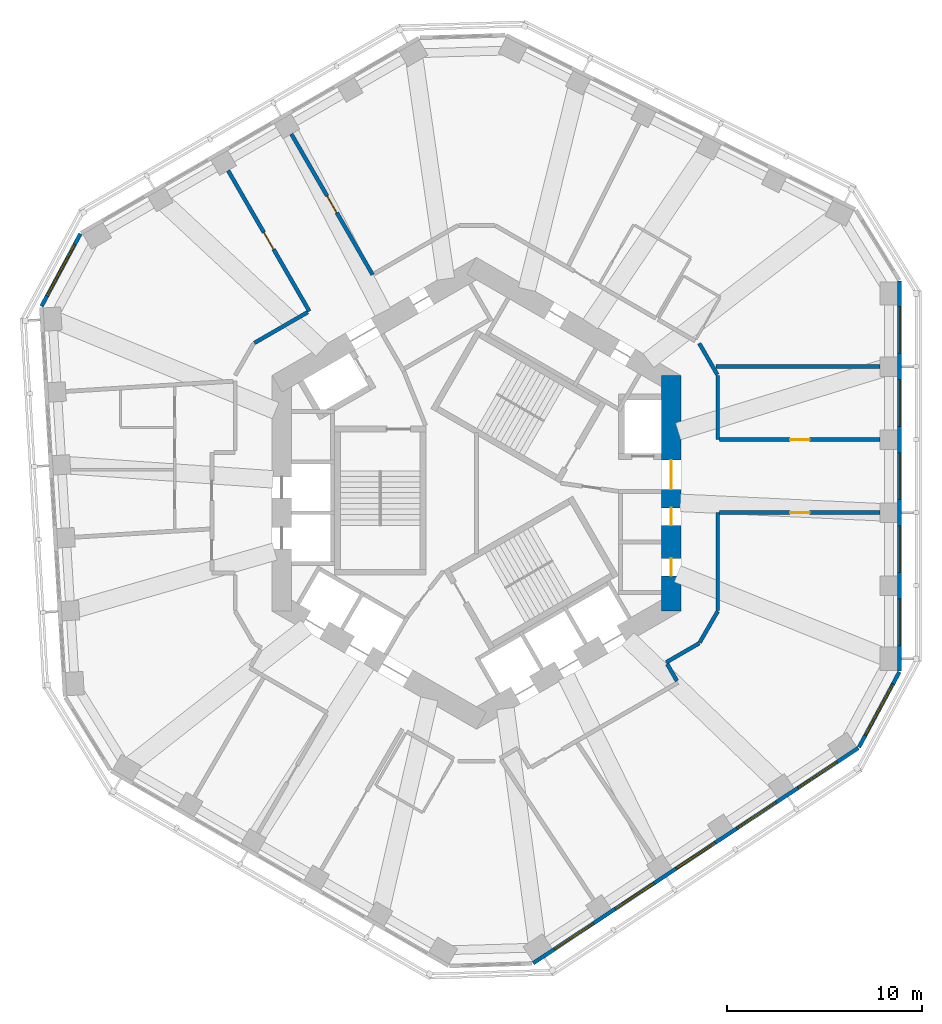
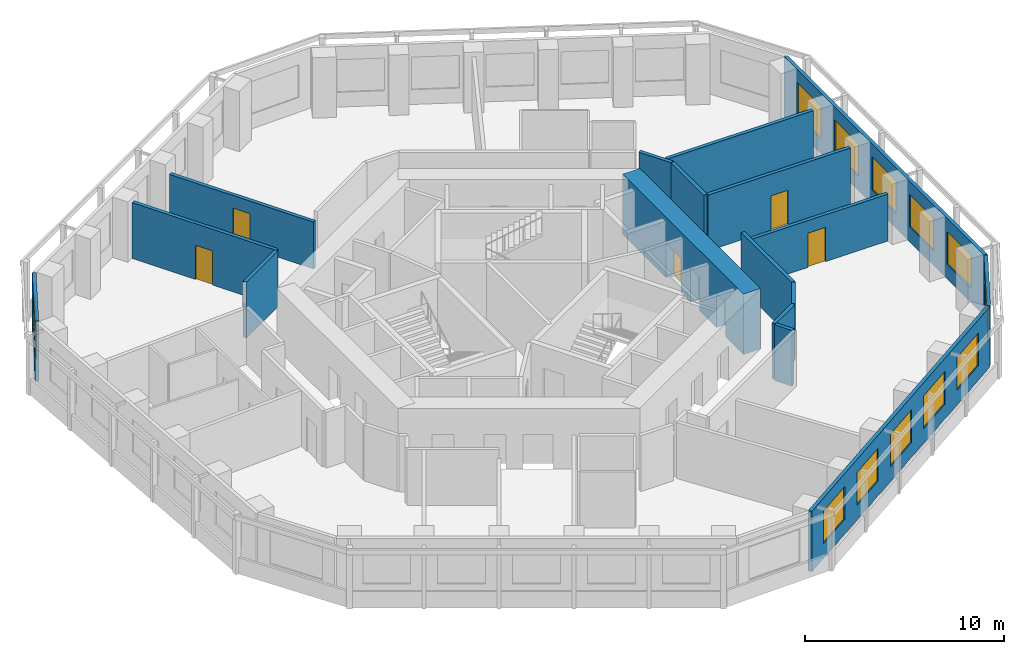
# One storey, part 6 of 10: 17 walls, 12 windows, 7 doors, 19 openings.
"""IFC4 building model written with IfcOpenShell, lengths in metres."""

from ifc_helpers import new_model, si_unit, direction, frame, frame_2d, origin, place, context, subcontext, project, spatial, rectangle, extrude, material, layer, layer_set, type_object, element, fill, save


model = new_model("IFC4")

# Units and contexts
model_context = context("Model", 3, precision=1e-05, world=origin(), true_north=direction((0.0, 1.0)))
body_context = subcontext(model_context, "Body", "Model", "MODEL_VIEW")
ifc_project = project(units=[si_unit("LENGTHUNIT", "METRE"), si_unit("AREAUNIT", "SQUARE_METRE"), si_unit("VOLUMEUNIT", "CUBIC_METRE"), si_unit("PLANEANGLEUNIT", "RADIAN"), si_unit("MASSUNIT", "GRAM", prefix="KILO")], contexts=[model_context])

# Site, building, storey
site_placement = place(None, origin())
site = spatial("IfcSite", under=ifc_project, at=site_placement, CompositionType="ELEMENT")
building_placement = place(site_placement, origin())
building = spatial("IfcBuilding", under=site, at=building_placement, Name="Vanh Sen Convention Tower", CompositionType="ELEMENT")
storey_placement = place(building_placement, frame((0.0, 0.0, 165.10009765625)))
storey = spatial("IfcBuildingStorey", under=building, at=storey_placement, Name="L40", CompositionType="ELEMENT", Elevation=165.10009765625)

# Wall, openings, doors
ifc_material_1 = material(Name="Concrete C80/95", Category="concrete")
ifc_layer_1 = layer(ifc_material_1, 1.0)
ifc_layer_set_1 = layer_set([ifc_layer_1], Name="Concrete C80/95")
wall_type_1 = type_object("IfcWallType", Name="Core outer wall 1000 C80/95", PredefinedType="SHEAR", material=ifc_layer_set_1)
wall_1_placement = place(storey_placement, frame((10.0, -6.062255859375, 0.0), z_axis=(0.0, 0.0, 1.0), x_axis=(0.0, 1.0, 0.0)))
wall_1 = element("IfcWall", 1, at=wall_1_placement, inside=storey, type_object=wall_type_1, Name="Core wall face E L40", PredefinedType="SHEAR", context=body_context, shape_type="SweptSolid", body=[
    extrude(rectangle(XDim=12.12451171875, YDim=1.0, at=frame_2d((6.062255859375, 0.0))), origin(), (0.0, 0.0, 1.0), 3.699951171875),
])
opening_1_placement = place(wall_1_placement, frame((6.26220703125, 0.0, 0.0)))
opening_1 = element("IfcOpeningElement", 2, at=opening_1_placement, cuts=wall_1, Name="Opening D38001", PredefinedType="OPENING", context=body_context, shape_type="SweptSolid", body=[
    extrude(rectangle(XDim=1.5, YDim=2.10009765625, at=frame_2d((0.75, 1.050048828125))), frame((0.0, 0.510009765625, 0.0), z_axis=(0.0, -1.0, 0.0), x_axis=(1.0, 0.0, 0.0)), (0.0, 0.0, 1.0), 1.02001953125),
])
opening_2_placement = place(wall_1_placement, frame((1.812255859375, 0.0, 0.0)))
opening_2 = element("IfcOpeningElement", 3, at=opening_2_placement, cuts=wall_1, Name="Opening D38009", PredefinedType="OPENING", context=body_context, shape_type="SweptSolid", body=[
    extrude(rectangle(XDim=0.89990234375, YDim=2.10009765625, at=frame_2d((0.449951171875, 1.050048828125))), frame((0.0, 0.510009765625, 0.0), z_axis=(0.0, -1.0, 0.0), x_axis=(1.0, 0.0, 0.0)), (0.0, 0.0, 1.0), 1.02001953125),
])
opening_3_placement = place(wall_1_placement, frame((4.412109375, 0.0, 0.0)))
opening_3 = element("IfcOpeningElement", 4, at=opening_3_placement, cuts=wall_1, Name="Opening D38010", PredefinedType="OPENING", context=body_context, shape_type="SweptSolid", body=[
    extrude(rectangle(XDim=0.89990234375, YDim=2.10009765625, at=frame_2d((0.449951171875, 1.050048828125))), frame((0.0, 0.510009765625, 0.0), z_axis=(0.0, -1.0, 0.0), x_axis=(1.0, 0.0, 0.0)), (0.0, 0.0, 1.0), 1.02001953125),
])
ifc_material_2 = material(Name="Steel S355", Category="steel")
door_type_1 = type_object("IfcDoorType", Name="Plant door 900", OperationType="SINGLE_SWING_LEFT", PredefinedType="DOOR", material=ifc_material_2)
door_1_placement = place(opening_2_placement, origin())
door_1 = element("IfcDoor", 5, at=door_1_placement, inside=storey, type_object=door_type_1, Name="Plant door D38009", OperationType="SINGLE_SWING_LEFT", OverallHeight=2.10009765625, OverallWidth=0.89990234375, PredefinedType="DOOR", context=body_context, shape_type="SweptSolid", body=[
    extrude(rectangle(XDim=0.89990234375, YDim=2.10009765625, at=frame_2d((0.449951171875, 1.050048828125))), frame((0.0, 0.02490234375, 0.0), z_axis=(0.0, -1.0, 0.0), x_axis=(1.0, 0.0, 0.0)), (0.0, 0.0, 1.0), 0.050048828125),
])
fill(opening_2, door_1)
door_2_placement = place(opening_3_placement, origin())
door_2 = element("IfcDoor", 6, at=door_2_placement, inside=storey, type_object=door_type_1, Name="Plant door D38010", OperationType="SINGLE_SWING_LEFT", OverallHeight=2.10009765625, OverallWidth=0.89990234375, PredefinedType="DOOR", context=body_context, shape_type="SweptSolid", body=[
    extrude(rectangle(XDim=0.89990234375, YDim=2.10009765625, at=frame_2d((0.449951171875, 1.050048828125))), frame((0.0, 0.02490234375, 0.0), z_axis=(0.0, -1.0, 0.0), x_axis=(1.0, 0.0, 0.0)), (0.0, 0.0, 1.0), 0.050048828125),
])
fill(opening_3, door_2)
door_type_2 = type_object("IfcDoorType", Name="Stair lobby door 1500", OperationType="DOUBLE_DOOR_SINGLE_SWING", PredefinedType="DOOR", material=ifc_material_2)
door_3_placement = place(opening_1_placement, origin())
door_3 = element("IfcDoor", 7, at=door_3_placement, inside=storey, type_object=door_type_2, Name="Stair lobby door D38001", OperationType="DOUBLE_DOOR_SINGLE_SWING", OverallHeight=2.10009765625, OverallWidth=1.5, PredefinedType="DOOR", context=body_context, shape_type="SweptSolid", body=[
    extrude(rectangle(XDim=1.5, YDim=2.10009765625, at=frame_2d((0.75, 1.050048828125))), frame((0.0, 0.02490234375, 0.0), z_axis=(0.0, -1.0, 0.0), x_axis=(1.0, 0.0, 0.0)), (0.0, 0.0, 1.0), 0.050048828125),
])
fill(opening_1, door_3)

# Wall, opening, door
ifc_material_3 = material(Name="Gypsum board on steel studs with mineral wool", Category="steel")
ifc_layer_2 = layer(ifc_material_3, 0.199951171875)
ifc_layer_set_2 = layer_set([ifc_layer_2], Name="Gypsum board on steel studs with mineral wool")
wall_type_2 = type_object("IfcWallType", Name="Corridor partition wall 200", PredefinedType="PARTITIONING", material=ifc_layer_set_2)
wall_2_placement = place(storey_placement, frame((-12.766357421875, 16.58935546875, 0.0), z_axis=(0.0, 0.0, 1.0), x_axis=(0.500010139422, -0.866019549707, 0.0)))
wall_2 = element("IfcWall", 8, at=wall_2_placement, inside=storey, type_object=wall_type_2, Name="Corridor partition wall 200", PredefinedType="PARTITIONING", context=body_context, shape_type="SweptSolid", body=[
    extrude(rectangle(XDim=8.349853515625, YDim=0.199951171875, at=frame_2d((4.1748046875, 0.0))), origin(), (0.0, 0.0, 1.0), 3.419921875),
])
opening_4_placement = place(wall_2_placement, frame((3.675048828125, 0.0, 0.0)))
opening_4 = element("IfcOpeningElement", 9, at=opening_4_placement, cuts=wall_2, Name="Opening D38106", PredefinedType="OPENING", context=body_context, shape_type="SweptSolid", body=[
    extrude(rectangle(XDim=1.0, YDim=2.10009765625, at=frame_2d((0.5, 1.050048828125))), frame((0.0, 0.10986328125, 0.0), z_axis=(0.0, -1.0, 0.0), x_axis=(1.0, 0.0, 0.0)), (0.0, 0.0, 1.0), 0.219970703125),
])
ifc_material_4 = material(Name="Timber fire door in steel frame", Category="steel")
door_type_3 = type_object("IfcDoorType", Name="Floor room door 1000", OperationType="SINGLE_SWING_LEFT", PredefinedType="DOOR", material=ifc_material_4)
door_4_placement = place(opening_4_placement, origin())
door_4 = element("IfcDoor", 10, at=door_4_placement, inside=storey, type_object=door_type_3, Name="Meeting and amenity room door D38106", OperationType="SINGLE_SWING_LEFT", OverallHeight=2.10009765625, OverallWidth=1.0, PredefinedType="DOOR", context=body_context, shape_type="SweptSolid", body=[
    extrude(rectangle(XDim=1.0, YDim=2.10009765625, at=frame_2d((0.5, 1.050048828125))), frame((0.0, 0.02490234375, 0.0), z_axis=(0.0, -1.0, 0.0), x_axis=(1.0, 0.0, 0.0)), (0.0, 0.0, 1.0), 0.050048828125),
])
fill(opening_4, door_4)

wall_3_placement = place(storey_placement, frame((-9.51513671875, 18.46630859375, 0.0), z_axis=(0.0, 0.0, 1.0), x_axis=(0.500010139422, -0.866019549707, 0.0)))
wall_3 = element("IfcWall", 11, at=wall_3_placement, inside=storey, type_object=wall_type_2, Name="Corridor partition wall 200", PredefinedType="PARTITIONING", context=body_context, shape_type="SweptSolid", body=[
    extrude(rectangle(XDim=8.349853515625, YDim=0.199951171875, at=frame_2d((4.1748046875, 0.0))), origin(), (0.0, 0.0, 1.0), 2.869873046875),
])
opening_5_placement = place(wall_3_placement, frame((3.675048828125, 0.0, 0.0)))
opening_5 = element("IfcOpeningElement", 12, at=opening_5_placement, cuts=wall_3, Name="Opening D38105", PredefinedType="OPENING", context=body_context, shape_type="SweptSolid", body=[
    extrude(rectangle(XDim=1.0, YDim=2.10009765625, at=frame_2d((0.5, 1.050048828125))), frame((0.0, 0.10986328125, 0.0), z_axis=(0.0, -1.0, 0.0), x_axis=(1.0, 0.0, 0.0)), (0.0, 0.0, 1.0), 0.219970703125),
])
door_5_placement = place(opening_5_placement, origin())
door_5 = element("IfcDoor", 13, at=door_5_placement, inside=storey, type_object=door_type_3, Name="Meeting and amenity room door D38105", OperationType="SINGLE_SWING_LEFT", OverallHeight=2.10009765625, OverallWidth=1.0, PredefinedType="DOOR", context=body_context, shape_type="SweptSolid", body=[
    extrude(rectangle(XDim=1.0, YDim=2.10009765625, at=frame_2d((0.5, 1.050048828125))), frame((0.0, 0.02490234375, 0.0), z_axis=(0.0, -1.0, 0.0), x_axis=(1.0, 0.0, 0.0)), (0.0, 0.0, 1.0), 0.050048828125),
])
fill(opening_5, door_5)

# Walls
wall_4_placement = place(storey_placement, frame((-8.677978515625, 9.30810546875, 0.0), z_axis=(0.0, 0.0, 1.0), x_axis=(-0.866000359435, -0.500043375578, 0.0)))
element("IfcWall", 14, at=wall_4_placement, inside=storey, type_object=wall_type_2, Name="Corridor partition wall 200", PredefinedType="PARTITIONING", context=body_context, shape_type="SweptSolid", body=[
    extrude(rectangle(XDim=3.160888671875, YDim=0.199951171875, at=frame_2d((1.58056640625, 0.0))), origin(), (0.0, 0.0, 1.0), 3.419921875),
])
wall_5_placement = place(storey_placement, frame((9.751708984375, -8.688232421875, 0.0), z_axis=(0.0, 0.0, 1.0), x_axis=(0.865974105138, 0.500088841337, 0.0)))
element("IfcWall", 15, at=wall_5_placement, inside=storey, type_object=wall_type_2, Name="Corridor partition wall 200", PredefinedType="PARTITIONING", context=body_context, shape_type="SweptSolid", body=[
    extrude(rectangle(XDim=1.961181640625, YDim=0.199951171875, at=frame_2d((0.98046875, 0.0))), origin(), (0.0, 0.0, 1.0), 3.419921875),
])
wall_6_placement = place(storey_placement, frame((10.302001953125, -9.6416015625, 0.0), z_axis=(0.0, 0.0, 1.0), x_axis=(-0.500074377092, 0.865982457891, 0.0)))
element("IfcWall", 16, at=wall_6_placement, inside=storey, type_object=wall_type_2, Name="Corridor partition wall 200", PredefinedType="PARTITIONING", context=body_context, shape_type="SweptSolid", body=[
    extrude(rectangle(XDim=1.000732421875, YDim=0.199951171875, at=frame_2d((0.50048828125, 0.0))), origin(), (0.0, 0.0, 1.0), 3.419921875),
])
for number, where, z_axis, x_axis, name in (
    (17, (11.469970703125, -7.673095703125, 0.0), (0.0, 0.0, 1.0), (0.499964847546, 0.866045698112, 0.0), "Corridor partition wall 200"),
    (18, (12.3798828125, 6.0966796875, 0.0), (0.0, 0.0, 1.0), (-0.499964847546, 0.866045698112, 0.0), "Corridor partition wall 200"),
):
    element("IfcWall", number, at=place(storey_placement, frame(where, z_axis=z_axis, x_axis=x_axis)), inside=storey, type_object=wall_type_2, Name=name, PredefinedType="PARTITIONING", context=body_context, shape_type="SweptSolid", body=[
        extrude(rectangle(XDim=1.860107421875, YDim=0.199951171875, at=frame_2d((0.93017578125, 0.0))), origin(), (0.0, 0.0, 1.0), 3.419921875),
    ])
wall_7_placement = place(storey_placement, frame((12.39990234375, -6.022216796875, 0.0), z_axis=(0.0, 0.0, 1.0), x_axis=(0.0, 1.0, 0.0)))
element("IfcWall", 19, at=wall_7_placement, inside=storey, type_object=wall_type_2, Name="Corridor partition wall 200", PredefinedType="PARTITIONING", context=body_context, shape_type="SweptSolid", body=[
    extrude(rectangle(XDim=5.029296875, YDim=0.199951171875, at=frame_2d((2.5146484375, 0.0))), origin(), (0.0, 0.0, 1.0), 3.419921875),
])
wall_8_placement = place(storey_placement, frame((12.39990234375, 2.76123046875, 0.0), z_axis=(0.0, 0.0, 1.0), x_axis=(0.0, 1.0, 0.0)))
element("IfcWall", 20, at=wall_8_placement, inside=storey, type_object=wall_type_2, Name="Corridor partition wall 200", PredefinedType="PARTITIONING", context=body_context, shape_type="SweptSolid", body=[
    extrude(rectangle(XDim=3.301025390625, YDim=0.199951171875, at=frame_2d((1.650390625, 0.0))), origin(), (0.0, 0.0, 1.0), 3.419921875),
])

# Wall, opening, door
wall_9_placement = place(storey_placement, frame((12.5, -0.992919921875, 0.0), z_axis=(0.0, 0.0, 1.0), x_axis=(1.0, 0.0, 0.0)))
wall_9 = element("IfcWall", 21, at=wall_9_placement, inside=storey, type_object=wall_type_2, Name="Corridor partition wall 200", PredefinedType="PARTITIONING", context=body_context, shape_type="SweptSolid", body=[
    extrude(rectangle(XDim=8.25, YDim=0.199951171875, at=frame_2d((4.125, 0.0))), origin(), (0.0, 0.0, 1.0), 2.869873046875),
])
opening_6_placement = place(wall_9_placement, frame((3.625, 0.0, 0.0)))
opening_6 = element("IfcOpeningElement", 22, at=opening_6_placement, cuts=wall_9, Name="Opening D38116", PredefinedType="OPENING", context=body_context, shape_type="SweptSolid", body=[
    extrude(rectangle(XDim=1.0, YDim=2.10009765625, at=frame_2d((0.5, 1.050048828125))), frame((0.0, 0.10986328125, 0.0), z_axis=(0.0, -1.0, 0.0), x_axis=(1.0, 0.0, 0.0)), (0.0, 0.0, 1.0), 0.219970703125),
])
door_6_placement = place(opening_6_placement, origin())
door_6 = element("IfcDoor", 23, at=door_6_placement, inside=storey, type_object=door_type_3, Name="Meeting and amenity room door D38116", OperationType="SINGLE_SWING_LEFT", OverallHeight=2.10009765625, OverallWidth=1.0, PredefinedType="DOOR", context=body_context, shape_type="SweptSolid", body=[
    extrude(rectangle(XDim=1.0, YDim=2.10009765625, at=frame_2d((0.5, 1.050048828125))), frame((0.0, 0.02490234375, 0.0), z_axis=(0.0, -1.0, 0.0), x_axis=(1.0, 0.0, 0.0)), (0.0, 0.0, 1.0), 0.050048828125),
])
fill(opening_6, door_6)

wall_10_placement = place(storey_placement, frame((20.75, 2.76123046875, 0.0), z_axis=(0.0, 0.0, 1.0), x_axis=(-1.0, 0.0, 0.0)))
wall_10 = element("IfcWall", 24, at=wall_10_placement, inside=storey, type_object=wall_type_2, Name="Corridor partition wall 200", PredefinedType="PARTITIONING", context=body_context, shape_type="SweptSolid", body=[
    extrude(rectangle(XDim=8.25, YDim=0.199951171875, at=frame_2d((4.125, 0.0))), origin(), (0.0, 0.0, 1.0), 3.419921875),
])
opening_7_placement = place(wall_10_placement, frame((3.625, 0.0, 0.0)))
opening_7 = element("IfcOpeningElement", 25, at=opening_7_placement, cuts=wall_10, Name="Opening D38101", PredefinedType="OPENING", context=body_context, shape_type="SweptSolid", body=[
    extrude(rectangle(XDim=1.0, YDim=2.10009765625, at=frame_2d((0.5, 1.050048828125))), frame((0.0, 0.10986328125, 0.0), z_axis=(0.0, -1.0, 0.0), x_axis=(1.0, 0.0, 0.0)), (0.0, 0.0, 1.0), 0.219970703125),
])
ifc_material_5 = material(Name="Glazed fire door in steel frame", Category="steel")
door_type_4 = type_object("IfcDoorType", Name="Tenant entrance door 1000", OperationType="SINGLE_SWING_LEFT", PredefinedType="DOOR", material=ifc_material_5)
door_7_placement = place(opening_7_placement, origin())
door_7 = element("IfcDoor", 26, at=door_7_placement, inside=storey, type_object=door_type_4, Name="Tenant suite entrance door D38101", OperationType="SINGLE_SWING_LEFT", OverallHeight=2.10009765625, OverallWidth=1.0, PredefinedType="DOOR", context=body_context, shape_type="SweptSolid", body=[
    extrude(rectangle(XDim=1.0, YDim=2.10009765625, at=frame_2d((0.5, 1.050048828125))), frame((0.0, 0.02490234375, 0.0), z_axis=(0.0, -1.0, 0.0), x_axis=(1.0, 0.0, 0.0)), (0.0, 0.0, 1.0), 0.050048828125),
])
fill(opening_7, door_7)

# Wall, openings, windows
ifc_material_6 = material(Name="Insulated lightweight infill wall")
ifc_layer_3 = layer(ifc_material_6, 0.199951171875)
ifc_layer_set_3 = layer_set([ifc_layer_3], Name="Insulated lightweight infill wall")
wall_type_3 = type_object("IfcWallType", Name="External wall 200", PredefinedType="STANDARD", material=ifc_layer_set_3)
wall_11_placement = place(storey_placement, frame((21.75, -9.138427734375, 0.0), z_axis=(0.0, 0.0, 1.0), x_axis=(0.0, 1.0, 0.0)))
wall_11 = element("IfcWall", 27, at=wall_11_placement, inside=storey, type_object=wall_type_3, Name="External wall E L40", PredefinedType="STANDARD", context=body_context, shape_type="SweptSolid", body=[
    extrude(rectangle(XDim=20.043701171875, YDim=0.199951171875, at=frame_2d((10.02197265625, 0.0))), origin(), (0.0, 0.0, 1.0), 3.699951171875),
])
opening_8_placement = place(wall_11_placement, frame((1.314453125, 0.0, 0.89990234375)))
opening_8 = element("IfcOpeningElement", 28, at=opening_8_placement, cuts=wall_11, Name="Opening WO1-E1", PredefinedType="OPENING", context=body_context, shape_type="SweptSolid", body=[
    extrude(rectangle(XDim=2.39990234375, YDim=2.0, at=frame_2d((1.199951171875, 1.0))), frame((0.0, 0.10986328125, 0.0), z_axis=(0.0, -1.0, 0.0), x_axis=(1.0, 0.0, 0.0)), (0.0, 0.0, 1.0), 0.219970703125),
])
opening_9_placement = place(wall_11_placement, frame((5.068603515625, 0.0, 0.89990234375)))
opening_9 = element("IfcOpeningElement", 29, at=opening_9_placement, cuts=wall_11, Name="Opening WO1-E2", PredefinedType="OPENING", context=body_context, shape_type="SweptSolid", body=[
    extrude(rectangle(XDim=2.39990234375, YDim=2.0, at=frame_2d((1.199951171875, 1.0))), frame((0.0, 0.10986328125, 0.0), z_axis=(0.0, -1.0, 0.0), x_axis=(1.0, 0.0, 0.0)), (0.0, 0.0, 1.0), 0.219970703125),
])
opening_10_placement = place(wall_11_placement, frame((8.82275390625, 0.0, 0.89990234375)))
opening_10 = element("IfcOpeningElement", 30, at=opening_10_placement, cuts=wall_11, Name="Opening WO1-E3", PredefinedType="OPENING", context=body_context, shape_type="SweptSolid", body=[
    extrude(rectangle(XDim=2.39990234375, YDim=2.0, at=frame_2d((1.199951171875, 1.0))), frame((0.0, 0.10986328125, 0.0), z_axis=(0.0, -1.0, 0.0), x_axis=(1.0, 0.0, 0.0)), (0.0, 0.0, 1.0), 0.219970703125),
])
opening_11_placement = place(wall_11_placement, frame((12.576904296875, 0.0, 0.89990234375)))
opening_11 = element("IfcOpeningElement", 31, at=opening_11_placement, cuts=wall_11, Name="Opening WO1-E4", PredefinedType="OPENING", context=body_context, shape_type="SweptSolid", body=[
    extrude(rectangle(XDim=2.39990234375, YDim=2.0, at=frame_2d((1.199951171875, 1.0))), frame((0.0, 0.10986328125, 0.0), z_axis=(0.0, -1.0, 0.0), x_axis=(1.0, 0.0, 0.0)), (0.0, 0.0, 1.0), 0.219970703125),
])
opening_12_placement = place(wall_11_placement, frame((16.330810546875, 0.0, 0.89990234375)))
opening_12 = element("IfcOpeningElement", 32, at=opening_12_placement, cuts=wall_11, Name="Opening WO1-E5", PredefinedType="OPENING", context=body_context, shape_type="SweptSolid", body=[
    extrude(rectangle(XDim=2.39990234375, YDim=2.0, at=frame_2d((1.199951171875, 1.0))), frame((0.0, 0.10986328125, 0.0), z_axis=(0.0, -1.0, 0.0), x_axis=(1.0, 0.0, 0.0)), (0.0, 0.0, 1.0), 0.219970703125),
])
ifc_material_7 = material(Name="Aluminium frame with clear low-emissivity glass", Category="aluminium")
window_type_1 = type_object("IfcWindowType", Name="Office window 2400 x 2000", PartitioningType="SINGLE_PANEL", PredefinedType="WINDOW", material=ifc_material_7)
window_1_placement = place(opening_8_placement, origin())
window_1 = element("IfcWindow", 33, at=window_1_placement, inside=storey, type_object=window_type_1, Name="Window WO1-E1", OverallHeight=2.0, OverallWidth=2.39990234375, PartitioningType="SINGLE_PANEL", PredefinedType="WINDOW", context=body_context, shape_type="SweptSolid", body=[
    extrude(rectangle(XDim=2.39990234375, YDim=2.0, at=frame_2d((1.199951171875, 1.0))), frame((0.0, 0.030029296875, 0.0), z_axis=(0.0, -1.0, 0.0), x_axis=(1.0, 0.0, 0.0)), (0.0, 0.0, 1.0), 0.06005859375),
])
fill(opening_8, window_1)
window_2_placement = place(opening_9_placement, origin())
window_2 = element("IfcWindow", 34, at=window_2_placement, inside=storey, type_object=window_type_1, Name="Window WO1-E2", OverallHeight=2.0, OverallWidth=2.39990234375, PartitioningType="SINGLE_PANEL", PredefinedType="WINDOW", context=body_context, shape_type="SweptSolid", body=[
    extrude(rectangle(XDim=2.39990234375, YDim=2.0, at=frame_2d((1.199951171875, 1.0))), frame((0.0, 0.030029296875, 0.0), z_axis=(0.0, -1.0, 0.0), x_axis=(1.0, 0.0, 0.0)), (0.0, 0.0, 1.0), 0.06005859375),
])
fill(opening_9, window_2)
window_3_placement = place(opening_10_placement, origin())
window_3 = element("IfcWindow", 35, at=window_3_placement, inside=storey, type_object=window_type_1, Name="Window WO1-E3", OverallHeight=2.0, OverallWidth=2.39990234375, PartitioningType="SINGLE_PANEL", PredefinedType="WINDOW", context=body_context, shape_type="SweptSolid", body=[
    extrude(rectangle(XDim=2.39990234375, YDim=2.0, at=frame_2d((1.199951171875, 1.0))), frame((0.0, 0.030029296875, 0.0), z_axis=(0.0, -1.0, 0.0), x_axis=(1.0, 0.0, 0.0)), (0.0, 0.0, 1.0), 0.06005859375),
])
fill(opening_10, window_3)
window_4_placement = place(opening_11_placement, origin())
window_4 = element("IfcWindow", 36, at=window_4_placement, inside=storey, type_object=window_type_1, Name="Window WO1-E4", OverallHeight=2.0, OverallWidth=2.39990234375, PartitioningType="SINGLE_PANEL", PredefinedType="WINDOW", context=body_context, shape_type="SweptSolid", body=[
    extrude(rectangle(XDim=2.39990234375, YDim=2.0, at=frame_2d((1.199951171875, 1.0))), frame((0.0, 0.030029296875, 0.0), z_axis=(0.0, -1.0, 0.0), x_axis=(1.0, 0.0, 0.0)), (0.0, 0.0, 1.0), 0.06005859375),
])
fill(opening_11, window_4)
window_5_placement = place(opening_12_placement, origin())
window_5 = element("IfcWindow", 37, at=window_5_placement, inside=storey, type_object=window_type_1, Name="Window WO1-E5", OverallHeight=2.0, OverallWidth=2.39990234375, PartitioningType="SINGLE_PANEL", PredefinedType="WINDOW", context=body_context, shape_type="SweptSolid", body=[
    extrude(rectangle(XDim=2.39990234375, YDim=2.0, at=frame_2d((1.199951171875, 1.0))), frame((0.0, 0.030029296875, 0.0), z_axis=(0.0, -1.0, 0.0), x_axis=(1.0, 0.0, 0.0)), (0.0, 0.0, 1.0), 0.06005859375),
])
fill(opening_12, window_5)

# Wall, opening, window
wall_12_placement = place(storey_placement, frame((-20.357421875, 13.343994140625, 0.0), z_axis=(0.0, 0.0, 1.0), x_axis=(-0.473288913494, -0.880907262068, 0.0)))
wall_12 = element("IfcWall", 38, at=wall_12_placement, inside=storey, type_object=wall_type_3, Name="External wall CH3 L40", PredefinedType="STANDARD", context=body_context, shape_type="SweptSolid", body=[
    extrude(rectangle(XDim=4.238037109375, YDim=0.199951171875, at=frame_2d((2.119140625, 0.0))), origin(), (0.0, 0.0, 1.0), 3.699951171875),
])
opening_13_placement = place(wall_12_placement, frame((0.619140625, 0.0, 0.89990234375)))
opening_13 = element("IfcOpeningElement", 39, at=opening_13_placement, cuts=wall_12, Name="Opening WO2-CH31", PredefinedType="OPENING", context=body_context, shape_type="SweptSolid", body=[
    extrude(rectangle(XDim=3.0, YDim=2.0, at=frame_2d((1.5, 1.0))), frame((0.0, 0.10986328125, 0.0), z_axis=(0.0, -1.0, 0.0), x_axis=(1.0, 0.0, 0.0)), (0.0, 0.0, 1.0), 0.219970703125),
])
window_type_2 = type_object("IfcWindowType", Name="Office window 3000 x 2000", PartitioningType="SINGLE_PANEL", PredefinedType="WINDOW", material=ifc_material_7)
window_6_placement = place(opening_13_placement, origin())
window_6 = element("IfcWindow", 40, at=window_6_placement, inside=storey, type_object=window_type_2, Name="Window WO2-CH31", OverallHeight=2.0, OverallWidth=3.0, PartitioningType="SINGLE_PANEL", PredefinedType="WINDOW", context=body_context, shape_type="SweptSolid", body=[
    extrude(rectangle(XDim=3.0, YDim=2.0, at=frame_2d((1.5, 1.0))), frame((0.0, 0.030029296875, 0.0), z_axis=(0.0, -1.0, 0.0), x_axis=(1.0, 0.0, 0.0)), (0.0, 0.0, 1.0), 0.06005859375),
])
fill(opening_13, window_6)

# Wall, openings, windows
wall_13_placement = place(storey_placement, frame((2.910888671875, -24.156005859375, 0.0), z_axis=(0.0, 0.0, 1.0), x_axis=(0.833882163564, 0.551942512668, 0.0)))
wall_13 = element("IfcWall", 41, at=wall_13_placement, inside=storey, type_object=wall_type_3, Name="External wall SE L40", PredefinedType="STANDARD", context=body_context, shape_type="SweptSolid", body=[
    extrude(rectangle(XDim=20.043701171875, YDim=0.199951171875, at=frame_2d((10.02197265625, 0.0))), origin(), (0.0, 0.0, 1.0), 3.699951171875),
])
opening_14_placement = place(wall_13_placement, frame((1.312744140625, 0.0, 0.89990234375)))
opening_14 = element("IfcOpeningElement", 42, at=opening_14_placement, cuts=wall_13, Name="Opening WO1-SE1", PredefinedType="OPENING", context=body_context, shape_type="SweptSolid", body=[
    extrude(rectangle(XDim=2.39990234375, YDim=2.0, at=frame_2d((1.199951171875, 1.0))), frame((0.0, 0.10986328125, 0.0), z_axis=(0.0, -1.0, 0.0), x_axis=(1.0, 0.0, 0.0)), (0.0, 0.0, 1.0), 0.219970703125),
])
opening_15_placement = place(wall_13_placement, frame((5.06689453125, 0.0, 0.89990234375)))
opening_15 = element("IfcOpeningElement", 43, at=opening_15_placement, cuts=wall_13, Name="Opening WO1-SE2", PredefinedType="OPENING", context=body_context, shape_type="SweptSolid", body=[
    extrude(rectangle(XDim=2.39990234375, YDim=2.0, at=frame_2d((1.199951171875, 1.0))), frame((0.0, 0.10986328125, 0.0), z_axis=(0.0, -1.0, 0.0), x_axis=(1.0, 0.0, 0.0)), (0.0, 0.0, 1.0), 0.219970703125),
])
opening_16_placement = place(wall_13_placement, frame((8.82080078125, 0.0, 0.89990234375)))
opening_16 = element("IfcOpeningElement", 44, at=opening_16_placement, cuts=wall_13, Name="Opening WO1-SE3", PredefinedType="OPENING", context=body_context, shape_type="SweptSolid", body=[
    extrude(rectangle(XDim=2.39990234375, YDim=2.0, at=frame_2d((1.199951171875, 1.0))), frame((0.0, 0.10986328125, 0.0), z_axis=(0.0, -1.0, 0.0), x_axis=(1.0, 0.0, 0.0)), (0.0, 0.0, 1.0), 0.219970703125),
])
opening_17_placement = place(wall_13_placement, frame((12.5751953125, 0.0, 0.89990234375)))
opening_17 = element("IfcOpeningElement", 45, at=opening_17_placement, cuts=wall_13, Name="Opening WO1-SE4", PredefinedType="OPENING", context=body_context, shape_type="SweptSolid", body=[
    extrude(rectangle(XDim=2.39990234375, YDim=2.0, at=frame_2d((1.199951171875, 1.0))), frame((0.0, 0.10986328125, 0.0), z_axis=(0.0, -1.0, 0.0), x_axis=(1.0, 0.0, 0.0)), (0.0, 0.0, 1.0), 0.219970703125),
])
opening_18_placement = place(wall_13_placement, frame((16.3291015625, 0.0, 0.89990234375)))
opening_18 = element("IfcOpeningElement", 46, at=opening_18_placement, cuts=wall_13, Name="Opening WO1-SE5", PredefinedType="OPENING", context=body_context, shape_type="SweptSolid", body=[
    extrude(rectangle(XDim=2.39990234375, YDim=2.0, at=frame_2d((1.199951171875, 1.0))), frame((0.0, 0.10986328125, 0.0), z_axis=(0.0, -1.0, 0.0), x_axis=(1.0, 0.0, 0.0)), (0.0, 0.0, 1.0), 0.219970703125),
])
window_7_placement = place(opening_14_placement, origin())
window_7 = element("IfcWindow", 47, at=window_7_placement, inside=storey, type_object=window_type_1, Name="Window WO1-SE1", OverallHeight=2.0, OverallWidth=2.39990234375, PartitioningType="SINGLE_PANEL", PredefinedType="WINDOW", context=body_context, shape_type="SweptSolid", body=[
    extrude(rectangle(XDim=2.39990234375, YDim=2.0, at=frame_2d((1.199951171875, 1.0))), frame((0.0, 0.030029296875, 0.0), z_axis=(0.0, -1.0, 0.0), x_axis=(1.0, 0.0, 0.0)), (0.0, 0.0, 1.0), 0.06005859375),
])
fill(opening_14, window_7)
window_8_placement = place(opening_15_placement, origin())
window_8 = element("IfcWindow", 48, at=window_8_placement, inside=storey, type_object=window_type_1, Name="Window WO1-SE2", OverallHeight=2.0, OverallWidth=2.39990234375, PartitioningType="SINGLE_PANEL", PredefinedType="WINDOW", context=body_context, shape_type="SweptSolid", body=[
    extrude(rectangle(XDim=2.39990234375, YDim=2.0, at=frame_2d((1.199951171875, 1.0))), frame((0.0, 0.030029296875, 0.0), z_axis=(0.0, -1.0, 0.0), x_axis=(1.0, 0.0, 0.0)), (0.0, 0.0, 1.0), 0.06005859375),
])
fill(opening_15, window_8)
window_9_placement = place(opening_16_placement, origin())
window_9 = element("IfcWindow", 49, at=window_9_placement, inside=storey, type_object=window_type_1, Name="Window WO1-SE3", OverallHeight=2.0, OverallWidth=2.39990234375, PartitioningType="SINGLE_PANEL", PredefinedType="WINDOW", context=body_context, shape_type="SweptSolid", body=[
    extrude(rectangle(XDim=2.39990234375, YDim=2.0, at=frame_2d((1.199951171875, 1.0))), frame((0.0, 0.030029296875, 0.0), z_axis=(0.0, -1.0, 0.0), x_axis=(1.0, 0.0, 0.0)), (0.0, 0.0, 1.0), 0.06005859375),
])
fill(opening_16, window_9)
window_10_placement = place(opening_17_placement, origin())
window_10 = element("IfcWindow", 50, at=window_10_placement, inside=storey, type_object=window_type_1, Name="Window WO1-SE4", OverallHeight=2.0, OverallWidth=2.39990234375, PartitioningType="SINGLE_PANEL", PredefinedType="WINDOW", context=body_context, shape_type="SweptSolid", body=[
    extrude(rectangle(XDim=2.39990234375, YDim=2.0, at=frame_2d((1.199951171875, 1.0))), frame((0.0, 0.030029296875, 0.0), z_axis=(0.0, -1.0, 0.0), x_axis=(1.0, 0.0, 0.0)), (0.0, 0.0, 1.0), 0.06005859375),
])
fill(opening_17, window_10)
window_11_placement = place(opening_18_placement, origin())
window_11 = element("IfcWindow", 51, at=window_11_placement, inside=storey, type_object=window_type_1, Name="Window WO1-SE5", OverallHeight=2.0, OverallWidth=2.39990234375, PartitioningType="SINGLE_PANEL", PredefinedType="WINDOW", context=body_context, shape_type="SweptSolid", body=[
    extrude(rectangle(XDim=2.39990234375, YDim=2.0, at=frame_2d((1.199951171875, 1.0))), frame((0.0, 0.030029296875, 0.0), z_axis=(0.0, -1.0, 0.0), x_axis=(1.0, 0.0, 0.0)), (0.0, 0.0, 1.0), 0.06005859375),
])
fill(opening_18, window_11)

# Wall, opening, window
wall_14_placement = place(storey_placement, frame((19.657958984375, -13.05712890625, 0.0), z_axis=(0.0, 0.0, 1.0), x_axis=(0.473307879841, 0.880897071672, 0.0)))
wall_14 = element("IfcWall", 52, at=wall_14_placement, inside=storey, type_object=wall_type_3, Name="External wall CH6 L40", PredefinedType="STANDARD", context=body_context, shape_type="SweptSolid", body=[
    extrude(rectangle(XDim=4.394775390625, YDim=0.199951171875, at=frame_2d((2.197265625, 0.0))), origin(), (0.0, 0.0, 1.0), 3.699951171875),
])
opening_19_placement = place(wall_14_placement, frame((0.697509765625, 0.0, 0.89990234375)))
opening_19 = element("IfcOpeningElement", 53, at=opening_19_placement, cuts=wall_14, Name="Opening WO2-CH61", PredefinedType="OPENING", context=body_context, shape_type="SweptSolid", body=[
    extrude(rectangle(XDim=3.0, YDim=2.0, at=frame_2d((1.5, 1.0))), frame((0.0, 0.10986328125, 0.0), z_axis=(0.0, -1.0, 0.0), x_axis=(1.0, 0.0, 0.0)), (0.0, 0.0, 1.0), 0.219970703125),
])
window_12_placement = place(opening_19_placement, origin())
window_12 = element("IfcWindow", 54, at=window_12_placement, inside=storey, type_object=window_type_2, Name="Window WO2-CH61", OverallHeight=2.0, OverallWidth=3.0, PartitioningType="SINGLE_PANEL", PredefinedType="WINDOW", context=body_context, shape_type="SweptSolid", body=[
    extrude(rectangle(XDim=3.0, YDim=2.0, at=frame_2d((1.5, 1.0))), frame((0.0, 0.030029296875, 0.0), z_axis=(0.0, -1.0, 0.0), x_axis=(1.0, 0.0, 0.0)), (0.0, 0.0, 1.0), 0.06005859375),
])
fill(opening_19, window_12)

# Wall
ifc_layer_4 = layer(ifc_material_3, 0.199951171875)
ifc_layer_set_4 = layer_set([ifc_layer_4], Name="Gypsum board on steel studs with mineral wool")
wall_type_4 = type_object("IfcWallType", Name="Tenant suite wall 200", PredefinedType="PARTITIONING", material=ifc_layer_set_4)
wall_15_placement = place(storey_placement, frame((20.75, 6.515380859375, 0.0), z_axis=(0.0, 0.0, 1.0), x_axis=(-1.0, 0.0, 0.0)))
element("IfcWall", 55, at=wall_15_placement, inside=storey, type_object=wall_type_4, Name="Tenant suite wall 200", PredefinedType="PARTITIONING", context=body_context, shape_type="SweptSolid", body=[
    extrude(rectangle(XDim=8.45166015625, YDim=0.199951171875, at=frame_2d((4.225830078125, 0.0))), origin(), (0.0, 0.0, 1.0), 3.419921875),
])

save(model, "model.ifc")
